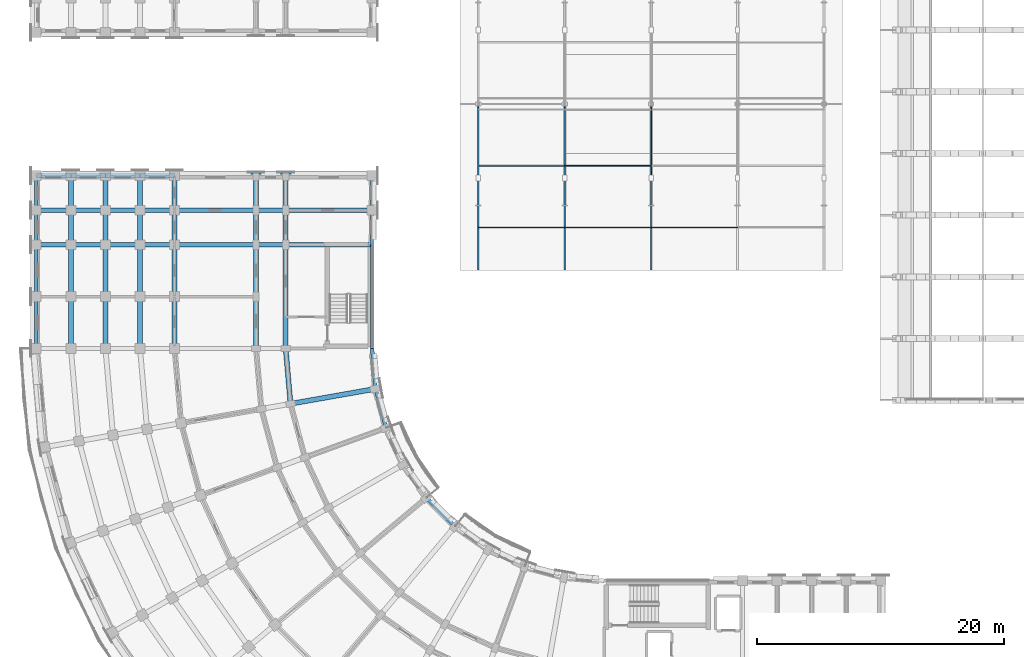
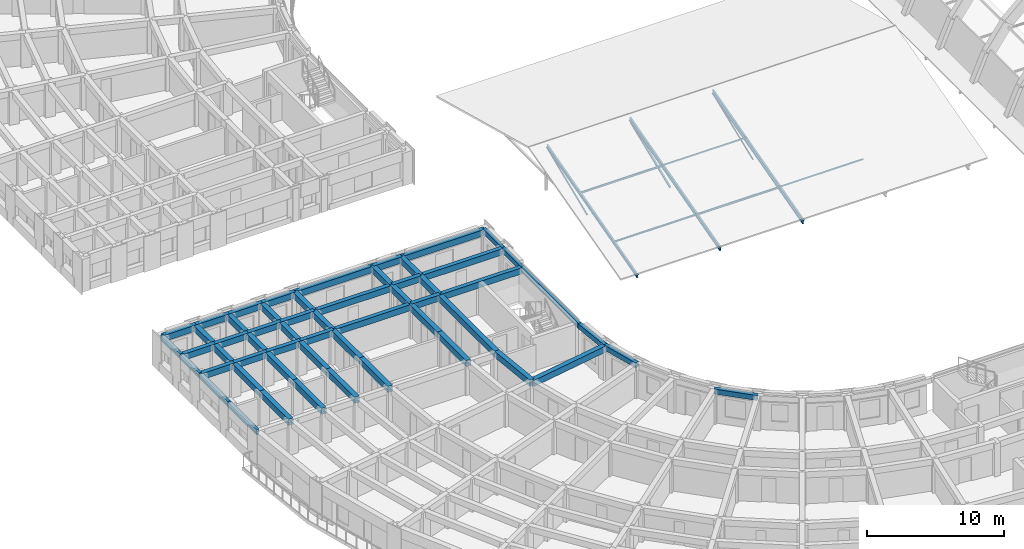
# One storey, part 12 of 76: 59 beams, 8 members.
"""IFC4 building model written with IfcOpenShell, lengths in metres."""

from ifc_helpers import new_model, si_unit, direction, frame, origin, origin_2d, place, context, subcontext, project, spatial, rectangle, hollow_rectangle, hollow_circle, i_section, extrude, material, material_profile, profile_set, type_object, element, save


model = new_model("IFC4")

# Units and contexts
model_context = context("Model", 3, precision=1e-05, world=origin(), true_north=direction((0.0, 1.0)))
body_context = subcontext(model_context, "Body", "Model", "MODEL_VIEW")
ifc_project = project(units=[si_unit("LENGTHUNIT", "METRE"), si_unit("AREAUNIT", "SQUARE_METRE"), si_unit("VOLUMEUNIT", "CUBIC_METRE"), si_unit("PLANEANGLEUNIT", "RADIAN"), si_unit("MASSUNIT", "GRAM", prefix="KILO")], contexts=[model_context])

# Site, building, storey
site_placement = place(None, origin())
site = spatial("IfcSite", under=ifc_project, at=site_placement, CompositionType="ELEMENT")
building_placement = place(site_placement, origin())
building = spatial("IfcBuilding", under=site, at=building_placement, Name="Kiranvali Square Residences", CompositionType="ELEMENT")
storey_placement = place(building_placement, frame((0.0, 0.0, 8.699951171875)))
storey = spatial("IfcBuildingStorey", under=building, at=storey_placement, Name="L02", CompositionType="ELEMENT", Elevation=8.699951171875)

# Beams
ifc_material_1 = material(Name="Concrete M40 (40 MPa)", Category="concrete")
ifc_material_profile_1 = material_profile(ifc_material_1, rectangle(XDim=0.35009765625, YDim=0.550048828125, at=origin_2d()), Name="RC 350x550")
ifc_profile_set_1 = profile_set([ifc_material_profile_1], Name="Concrete M40 (40 MPa)")
beam_type_1 = type_object("IfcBeamType", Name="BM-M40-350x550", PredefinedType="BEAM", material=ifc_profile_set_1)
beam_1_placement = place(storey_placement, frame((29.39990234375, 56.60009765625, 2.655029296875), z_axis=(-1.0, 0.0, 0.0), x_axis=(0.0, -1.0, 0.0)))
element("IfcBeam", 1, at=beam_1_placement, inside=storey, type_object=beam_type_1, Name="L02 beam BM-C-L02-A2T1-01", PredefinedType="BEAM", context=body_context, shape_type="SweptSolid", body=[
    extrude(rectangle(XDim=0.35009765625, YDim=0.550048828125, at=origin_2d()), origin(), (0.0, 0.0, 1.0), 7.0),
])
beam_2_placement = place(storey_placement, frame((22.39990234375, 56.60009765625, 2.655029296875), z_axis=(-1.0, 0.0, 0.0), x_axis=(0.0, -1.0, 0.0)))
element("IfcBeam", 2, at=beam_2_placement, inside=storey, type_object=beam_type_1, Name="L02 beam BM-C-L02-A2T1-12", PredefinedType="BEAM", context=body_context, shape_type="SweptSolid", body=[
    extrude(rectangle(XDim=0.35009765625, YDim=0.550048828125, at=origin_2d()), origin(), (0.0, 0.0, 1.0), 2.39990234375),
])
beam_3_placement = place(storey_placement, frame((20.0, 56.60009765625, 2.655029296875), z_axis=(-1.0, 0.0, 0.0), x_axis=(0.0, -1.0, 0.0)))
element("IfcBeam", 3, at=beam_3_placement, inside=storey, type_object=beam_type_1, Name="L02 beam BM-C-L02-A2T1-23", PredefinedType="BEAM", context=body_context, shape_type="SweptSolid", body=[
    extrude(rectangle(XDim=0.35009765625, YDim=0.550048828125, at=origin_2d()), origin(), (0.0, 0.0, 1.0), 6.60009765625),
])
beam_4_placement = place(storey_placement, frame((13.39990234375, 56.60009765625, 2.655029296875), z_axis=(-1.0, 0.0, 0.0), x_axis=(0.0, -1.0, 0.0)))
element("IfcBeam", 4, at=beam_4_placement, inside=storey, type_object=beam_type_1, Name="L02 beam BM-C-L02-A2T1-34", PredefinedType="BEAM", context=body_context, shape_type="SweptSolid", body=[
    extrude(rectangle(XDim=0.35009765625, YDim=0.550048828125, at=origin_2d()), origin(), (0.0, 0.0, 1.0), 2.7998046875),
])
for number, where, z_axis, x_axis, name in (
    (5, (10.60009765625, 56.60009765625, 2.655029296875), (-1.0, 0.0, 0.0), (0.0, -1.0, 0.0), "L02 beam BM-C-L02-A2T1-45"),
    (6, (7.800048828125, 56.60009765625, 2.655029296875), (-1.0, 0.0, 0.0), (0.0, -1.0, 0.0), "L02 beam BM-C-L02-A2T1-56"),
    (7, (5.0, 56.60009765625, 2.655029296875), (-1.0, 0.0, 0.0), (0.0, -1.0, 0.0), "L02 beam BM-C-L02-A2T1-67"),
):
    element("IfcBeam", number, at=place(storey_placement, frame(where, z_axis=z_axis, x_axis=x_axis)), inside=storey, type_object=beam_type_1, Name=name, PredefinedType="BEAM", context=body_context, shape_type="SweptSolid", body=[
        extrude(rectangle(XDim=0.35009765625, YDim=0.550048828125, at=origin_2d()), origin(), (0.0, 0.0, 1.0), 2.800048828125),
    ])
beam_5_placement = place(storey_placement, frame((29.39990234375, 59.39990234375, 2.655029296875), z_axis=(-1.0, 0.0, 0.0), x_axis=(0.0, -1.0, 0.0)))
element("IfcBeam", 8, at=beam_5_placement, inside=storey, type_object=beam_type_1, Name="L02 beam BM-C-L02-A2T2-01", PredefinedType="BEAM", context=body_context, shape_type="SweptSolid", body=[
    extrude(rectangle(XDim=0.35009765625, YDim=0.550048828125, at=origin_2d()), origin(), (0.0, 0.0, 1.0), 7.0),
])
beam_6_placement = place(storey_placement, frame((22.39990234375, 59.39990234375, 2.655029296875), z_axis=(-1.0, 0.0, 0.0), x_axis=(0.0, -1.0, 0.0)))
element("IfcBeam", 9, at=beam_6_placement, inside=storey, type_object=beam_type_1, Name="L02 beam BM-C-L02-A2T2-12", PredefinedType="BEAM", context=body_context, shape_type="SweptSolid", body=[
    extrude(rectangle(XDim=0.35009765625, YDim=0.550048828125, at=origin_2d()), origin(), (0.0, 0.0, 1.0), 2.39990234375),
])
beam_7_placement = place(storey_placement, frame((20.0, 59.39990234375, 2.655029296875), z_axis=(-1.0, 0.0, 0.0), x_axis=(0.0, -1.0, 0.0)))
element("IfcBeam", 10, at=beam_7_placement, inside=storey, type_object=beam_type_1, Name="L02 beam BM-C-L02-A2T2-23", PredefinedType="BEAM", context=body_context, shape_type="SweptSolid", body=[
    extrude(rectangle(XDim=0.35009765625, YDim=0.550048828125, at=origin_2d()), origin(), (0.0, 0.0, 1.0), 6.60009765625),
])
beam_8_placement = place(storey_placement, frame((13.39990234375, 59.39990234375, 2.655029296875), z_axis=(-1.0, 0.0, 0.0), x_axis=(0.0, -1.0, 0.0)))
element("IfcBeam", 11, at=beam_8_placement, inside=storey, type_object=beam_type_1, Name="L02 beam BM-C-L02-A2T2-34", PredefinedType="BEAM", context=body_context, shape_type="SweptSolid", body=[
    extrude(rectangle(XDim=0.35009765625, YDim=0.550048828125, at=origin_2d()), origin(), (0.0, 0.0, 1.0), 2.7998046875),
])
for number, where, z_axis, x_axis, name in (
    (12, (10.60009765625, 59.39990234375, 2.655029296875), (-1.0, 0.0, 0.0), (0.0, -1.0, 0.0), "L02 beam BM-C-L02-A2T2-45"),
    (13, (7.800048828125, 59.39990234375, 2.655029296875), (-1.0, 0.0, 0.0), (0.0, -1.0, 0.0), "L02 beam BM-C-L02-A2T2-56"),
    (14, (5.0, 59.39990234375, 2.655029296875), (-1.0, 0.0, 0.0), (0.0, -1.0, 0.0), "L02 beam BM-C-L02-A2T2-67"),
):
    element("IfcBeam", number, at=place(storey_placement, frame(where, z_axis=z_axis, x_axis=x_axis)), inside=storey, type_object=beam_type_1, Name=name, PredefinedType="BEAM", context=body_context, shape_type="SweptSolid", body=[
        extrude(rectangle(XDim=0.35009765625, YDim=0.550048828125, at=origin_2d()), origin(), (0.0, 0.0, 1.0), 2.800048828125),
    ])
beam_9_placement = place(storey_placement, frame((29.39990234375, 62.199951171875, 2.655029296875), z_axis=(-1.0, 0.0, 0.0), x_axis=(0.0, -1.0, 0.0)))
element("IfcBeam", 15, at=beam_9_placement, inside=storey, type_object=beam_type_1, Name="L02 beam BM-C-L02-A2T3-01", PredefinedType="BEAM", context=body_context, shape_type="SweptSolid", body=[
    extrude(rectangle(XDim=0.35009765625, YDim=0.550048828125, at=origin_2d()), origin(), (0.0, 0.0, 1.0), 7.0),
])
beam_10_placement = place(storey_placement, frame((22.39990234375, 62.199951171875, 2.655029296875), z_axis=(-1.0, 0.0, 0.0), x_axis=(0.0, -1.0, 0.0)))
element("IfcBeam", 16, at=beam_10_placement, inside=storey, type_object=beam_type_1, Name="L02 beam BM-C-L02-A2T3-12", PredefinedType="BEAM", context=body_context, shape_type="SweptSolid", body=[
    extrude(rectangle(XDim=0.35009765625, YDim=0.550048828125, at=origin_2d()), origin(), (0.0, 0.0, 1.0), 2.39990234375),
])
beam_11_placement = place(storey_placement, frame((20.0, 62.199951171875, 2.655029296875), z_axis=(-1.0, 0.0, 0.0), x_axis=(0.0, -1.0, 0.0)))
element("IfcBeam", 17, at=beam_11_placement, inside=storey, type_object=beam_type_1, Name="L02 beam BM-C-L02-A2T3-23", PredefinedType="BEAM", context=body_context, shape_type="SweptSolid", body=[
    extrude(rectangle(XDim=0.35009765625, YDim=0.550048828125, at=origin_2d()), origin(), (0.0, 0.0, 1.0), 6.60009765625),
])
beam_12_placement = place(storey_placement, frame((13.39990234375, 62.199951171875, 2.655029296875), z_axis=(-1.0, 0.0, 0.0), x_axis=(0.0, -1.0, 0.0)))
element("IfcBeam", 18, at=beam_12_placement, inside=storey, type_object=beam_type_1, Name="L02 beam BM-C-L02-A2T3-34", PredefinedType="BEAM", context=body_context, shape_type="SweptSolid", body=[
    extrude(rectangle(XDim=0.35009765625, YDim=0.550048828125, at=origin_2d()), origin(), (0.0, 0.0, 1.0), 2.7998046875),
])
for number, where, z_axis, x_axis, name in (
    (19, (10.60009765625, 62.199951171875, 2.655029296875), (-1.0, 0.0, 0.0), (0.0, -1.0, 0.0), "L02 beam BM-C-L02-A2T3-45"),
    (20, (7.800048828125, 62.199951171875, 2.655029296875), (-1.0, 0.0, 0.0), (0.0, -1.0, 0.0), "L02 beam BM-C-L02-A2T3-56"),
    (21, (5.0, 62.199951171875, 2.655029296875), (-1.0, 0.0, 0.0), (0.0, -1.0, 0.0), "L02 beam BM-C-L02-A2T3-67"),
):
    element("IfcBeam", number, at=place(storey_placement, frame(where, z_axis=z_axis, x_axis=x_axis)), inside=storey, type_object=beam_type_1, Name=name, PredefinedType="BEAM", context=body_context, shape_type="SweptSolid", body=[
        extrude(rectangle(XDim=0.35009765625, YDim=0.550048828125, at=origin_2d()), origin(), (0.0, 0.0, 1.0), 2.800048828125),
    ])
ifc_material_2 = material(Name="Concrete M45 (45 MPa)", Category="concrete")
ifc_material_profile_2 = material_profile(ifc_material_2, rectangle(XDim=0.39990234375, YDim=0.550048828125, at=origin_2d()), Name="RC 400x550")
ifc_profile_set_2 = profile_set([ifc_material_profile_2], Name="Concrete M45 (45 MPa)")
beam_type_2 = type_object("IfcBeamType", Name="BM-M45-400x550", PredefinedType="BEAM", material=ifc_profile_set_2)
beam_13_placement = place(storey_placement, frame((22.7919921875, 43.719970703125, 2.655029296875), z_axis=(-0.087187153726, 0.996191949488, 0.0), x_axis=(-0.996191949488, -0.087187153726, 0.0)))
element("IfcBeam", 22, at=beam_13_placement, inside=storey, type_object=beam_type_2, Name="L02 beam BM-C-L02-C08-R1", PredefinedType="BEAM", context=body_context, shape_type="SweptSolid", body=[
    extrude(rectangle(XDim=0.39990234375, YDim=0.550048828125, at=origin_2d()), origin(), (0.0, 0.0, 1.0), 4.4970703125),
])
beam_14_placement = place(storey_placement, frame((29.685546875, 44.935302734375, 2.655029296875), z_axis=(-0.984812337125, -0.173622177865, 0.0), x_axis=(0.173622177865, -0.984812337125, 0.0)))
element("IfcBeam", 23, at=beam_14_placement, inside=storey, type_object=beam_type_2, Name="L02 beam BM-C-L02-RAD08-01", PredefinedType="BEAM", context=body_context, shape_type="SweptSolid", body=[
    extrude(rectangle(XDim=0.39990234375, YDim=0.550048828125, at=origin_2d()), origin(), (0.0, 0.0, 1.0), 6.999755859375),
])
beam_15_placement = place(storey_placement, frame((22.39990234375, 48.199951171875, 2.655029296875), z_axis=(0.0, 1.0, 0.0), x_axis=(-1.0, 0.0, 0.0)))
element("IfcBeam", 24, at=beam_15_placement, inside=storey, type_object=beam_type_2, Name="L02 beam BM-C-L02-A2V0-R1", PredefinedType="BEAM", context=body_context, shape_type="SweptSolid", body=[
    extrude(rectangle(XDim=0.39990234375, YDim=0.550048828125, at=origin_2d()), origin(), (0.0, 0.0, 1.0), 8.400146484375),
])
beam_16_placement = place(storey_placement, frame((22.39990234375, 56.60009765625, 2.655029296875), z_axis=(0.0, 1.0, 0.0), x_axis=(-1.0, 0.0, 0.0)))
element("IfcBeam", 25, at=beam_16_placement, inside=storey, type_object=beam_type_2, Name="L02 beam BM-C-L02-A2V1-R1", PredefinedType="BEAM", context=body_context, shape_type="SweptSolid", body=[
    extrude(rectangle(XDim=0.39990234375, YDim=0.550048828125, at=origin_2d()), origin(), (0.0, 0.0, 1.0), 2.7998046875),
])
beam_17_placement = place(storey_placement, frame((22.39990234375, 59.39990234375, 2.655029296875), z_axis=(0.0, 1.0, 0.0), x_axis=(-1.0, 0.0, 0.0)))
element("IfcBeam", 26, at=beam_17_placement, inside=storey, type_object=beam_type_2, Name="L02 beam BM-C-L02-A2V2-R1", PredefinedType="BEAM", context=body_context, shape_type="SweptSolid", body=[
    extrude(rectangle(XDim=0.39990234375, YDim=0.550048828125, at=origin_2d()), origin(), (0.0, 0.0, 1.0), 2.800048828125),
])
beam_18_placement = place(storey_placement, frame((20.0, 48.199951171875, 2.655029296875), z_axis=(0.0, 1.0, 0.0), x_axis=(-1.0, 0.0, 0.0)))
element("IfcBeam", 27, at=beam_18_placement, inside=storey, type_object=beam_type_2, Name="L02 beam BM-C-L02-A2V0-R2", PredefinedType="BEAM", context=body_context, shape_type="SweptSolid", body=[
    extrude(rectangle(XDim=0.39990234375, YDim=0.550048828125, at=origin_2d()), origin(), (0.0, 0.0, 1.0), 4.199951171875),
])
beam_19_placement = place(storey_placement, frame((20.0, 52.39990234375, 2.655029296875), z_axis=(0.0, 1.0, 0.0), x_axis=(-1.0, 0.0, 0.0)))
element("IfcBeam", 28, at=beam_19_placement, inside=storey, type_object=beam_type_2, Name="L02 beam BM-C-L02-A2V1-R2", PredefinedType="BEAM", context=body_context, shape_type="SweptSolid", body=[
    extrude(rectangle(XDim=0.39990234375, YDim=0.550048828125, at=origin_2d()), origin(), (0.0, 0.0, 1.0), 4.2001953125),
])
beam_20_placement = place(storey_placement, frame((20.0, 56.60009765625, 2.655029296875), z_axis=(0.0, 1.0, 0.0), x_axis=(-1.0, 0.0, 0.0)))
element("IfcBeam", 29, at=beam_20_placement, inside=storey, type_object=beam_type_2, Name="L02 beam BM-C-L02-A2V2-R2", PredefinedType="BEAM", context=body_context, shape_type="SweptSolid", body=[
    extrude(rectangle(XDim=0.39990234375, YDim=0.550048828125, at=origin_2d()), origin(), (0.0, 0.0, 1.0), 2.7998046875),
])
beam_21_placement = place(storey_placement, frame((20.0, 59.39990234375, 2.655029296875), z_axis=(0.0, 1.0, 0.0), x_axis=(-1.0, 0.0, 0.0)))
element("IfcBeam", 30, at=beam_21_placement, inside=storey, type_object=beam_type_2, Name="L02 beam BM-C-L02-A2V3-R2", PredefinedType="BEAM", context=body_context, shape_type="SweptSolid", body=[
    extrude(rectangle(XDim=0.39990234375, YDim=0.550048828125, at=origin_2d()), origin(), (0.0, 0.0, 1.0), 2.800048828125),
])
beam_22_placement = place(storey_placement, frame((13.39990234375, 48.199951171875, 2.655029296875), z_axis=(0.0, 1.0, 0.0), x_axis=(-1.0, 0.0, 0.0)))
element("IfcBeam", 31, at=beam_22_placement, inside=storey, type_object=beam_type_2, Name="L02 beam BM-C-L02-A2V0-R3", PredefinedType="BEAM", context=body_context, shape_type="SweptSolid", body=[
    extrude(rectangle(XDim=0.39990234375, YDim=0.550048828125, at=origin_2d()), origin(), (0.0, 0.0, 1.0), 4.199951171875),
])
beam_23_placement = place(storey_placement, frame((13.39990234375, 52.39990234375, 2.655029296875), z_axis=(0.0, 1.0, 0.0), x_axis=(-1.0, 0.0, 0.0)))
element("IfcBeam", 32, at=beam_23_placement, inside=storey, type_object=beam_type_2, Name="L02 beam BM-C-L02-A2V1-R3", PredefinedType="BEAM", context=body_context, shape_type="SweptSolid", body=[
    extrude(rectangle(XDim=0.39990234375, YDim=0.550048828125, at=origin_2d()), origin(), (0.0, 0.0, 1.0), 4.2001953125),
])
beam_24_placement = place(storey_placement, frame((13.39990234375, 56.60009765625, 2.655029296875), z_axis=(0.0, 1.0, 0.0), x_axis=(-1.0, 0.0, 0.0)))
element("IfcBeam", 33, at=beam_24_placement, inside=storey, type_object=beam_type_2, Name="L02 beam BM-C-L02-A2V2-R3", PredefinedType="BEAM", context=body_context, shape_type="SweptSolid", body=[
    extrude(rectangle(XDim=0.39990234375, YDim=0.550048828125, at=origin_2d()), origin(), (0.0, 0.0, 1.0), 2.7998046875),
])
beam_25_placement = place(storey_placement, frame((13.39990234375, 59.39990234375, 2.655029296875), z_axis=(0.0, 1.0, 0.0), x_axis=(-1.0, 0.0, 0.0)))
element("IfcBeam", 34, at=beam_25_placement, inside=storey, type_object=beam_type_2, Name="L02 beam BM-C-L02-A2V3-R3", PredefinedType="BEAM", context=body_context, shape_type="SweptSolid", body=[
    extrude(rectangle(XDim=0.39990234375, YDim=0.550048828125, at=origin_2d()), origin(), (0.0, 0.0, 1.0), 2.800048828125),
])
beam_26_placement = place(storey_placement, frame((10.60009765625, 48.199951171875, 2.655029296875), z_axis=(0.0, 1.0, 0.0), x_axis=(-1.0, 0.0, 0.0)))
element("IfcBeam", 35, at=beam_26_placement, inside=storey, type_object=beam_type_2, Name="L02 beam BM-C-L02-A2V0-R4", PredefinedType="BEAM", context=body_context, shape_type="SweptSolid", body=[
    extrude(rectangle(XDim=0.39990234375, YDim=0.550048828125, at=origin_2d()), origin(), (0.0, 0.0, 1.0), 4.199951171875),
])
beam_27_placement = place(storey_placement, frame((10.60009765625, 52.39990234375, 2.655029296875), z_axis=(0.0, 1.0, 0.0), x_axis=(-1.0, 0.0, 0.0)))
element("IfcBeam", 36, at=beam_27_placement, inside=storey, type_object=beam_type_2, Name="L02 beam BM-C-L02-A2V1-R4", PredefinedType="BEAM", context=body_context, shape_type="SweptSolid", body=[
    extrude(rectangle(XDim=0.39990234375, YDim=0.550048828125, at=origin_2d()), origin(), (0.0, 0.0, 1.0), 4.2001953125),
])
beam_28_placement = place(storey_placement, frame((10.60009765625, 56.60009765625, 2.655029296875), z_axis=(0.0, 1.0, 0.0), x_axis=(-1.0, 0.0, 0.0)))
element("IfcBeam", 37, at=beam_28_placement, inside=storey, type_object=beam_type_2, Name="L02 beam BM-C-L02-A2V2-R4", PredefinedType="BEAM", context=body_context, shape_type="SweptSolid", body=[
    extrude(rectangle(XDim=0.39990234375, YDim=0.550048828125, at=origin_2d()), origin(), (0.0, 0.0, 1.0), 2.7998046875),
])
beam_29_placement = place(storey_placement, frame((10.60009765625, 59.39990234375, 2.655029296875), z_axis=(0.0, 1.0, 0.0), x_axis=(-1.0, 0.0, 0.0)))
element("IfcBeam", 38, at=beam_29_placement, inside=storey, type_object=beam_type_2, Name="L02 beam BM-C-L02-A2V3-R4", PredefinedType="BEAM", context=body_context, shape_type="SweptSolid", body=[
    extrude(rectangle(XDim=0.39990234375, YDim=0.550048828125, at=origin_2d()), origin(), (0.0, 0.0, 1.0), 2.800048828125),
])
beam_30_placement = place(storey_placement, frame((7.800048828125, 48.199951171875, 2.655029296875), z_axis=(0.0, 1.0, 0.0), x_axis=(-1.0, 0.0, 0.0)))
element("IfcBeam", 39, at=beam_30_placement, inside=storey, type_object=beam_type_2, Name="L02 beam BM-C-L02-A2V0-R5", PredefinedType="BEAM", context=body_context, shape_type="SweptSolid", body=[
    extrude(rectangle(XDim=0.39990234375, YDim=0.550048828125, at=origin_2d()), origin(), (0.0, 0.0, 1.0), 4.199951171875),
])
beam_31_placement = place(storey_placement, frame((7.800048828125, 52.39990234375, 2.655029296875), z_axis=(0.0, 1.0, 0.0), x_axis=(-1.0, 0.0, 0.0)))
element("IfcBeam", 40, at=beam_31_placement, inside=storey, type_object=beam_type_2, Name="L02 beam BM-C-L02-A2V1-R5", PredefinedType="BEAM", context=body_context, shape_type="SweptSolid", body=[
    extrude(rectangle(XDim=0.39990234375, YDim=0.550048828125, at=origin_2d()), origin(), (0.0, 0.0, 1.0), 4.2001953125),
])
beam_32_placement = place(storey_placement, frame((7.800048828125, 56.60009765625, 2.655029296875), z_axis=(0.0, 1.0, 0.0), x_axis=(-1.0, 0.0, 0.0)))
element("IfcBeam", 41, at=beam_32_placement, inside=storey, type_object=beam_type_2, Name="L02 beam BM-C-L02-A2V2-R5", PredefinedType="BEAM", context=body_context, shape_type="SweptSolid", body=[
    extrude(rectangle(XDim=0.39990234375, YDim=0.550048828125, at=origin_2d()), origin(), (0.0, 0.0, 1.0), 2.7998046875),
])
beam_33_placement = place(storey_placement, frame((7.800048828125, 59.39990234375, 2.655029296875), z_axis=(0.0, 1.0, 0.0), x_axis=(-1.0, 0.0, 0.0)))
element("IfcBeam", 42, at=beam_33_placement, inside=storey, type_object=beam_type_2, Name="L02 beam BM-C-L02-A2V3-R5", PredefinedType="BEAM", context=body_context, shape_type="SweptSolid", body=[
    extrude(rectangle(XDim=0.39990234375, YDim=0.550048828125, at=origin_2d()), origin(), (0.0, 0.0, 1.0), 2.800048828125),
])
beam_34_placement = place(storey_placement, frame((5.0, 48.199951171875, 2.655029296875), z_axis=(0.0, 1.0, 0.0), x_axis=(-1.0, 0.0, 0.0)))
element("IfcBeam", 43, at=beam_34_placement, inside=storey, type_object=beam_type_2, Name="L02 beam BM-C-L02-A2V0-R6", PredefinedType="BEAM", context=body_context, shape_type="SweptSolid", body=[
    extrude(rectangle(XDim=0.39990234375, YDim=0.550048828125, at=origin_2d()), origin(), (0.0, 0.0, 1.0), 4.199951171875),
])
beam_35_placement = place(storey_placement, frame((5.0, 52.39990234375, 2.655029296875), z_axis=(0.0, 1.0, 0.0), x_axis=(-1.0, 0.0, 0.0)))
element("IfcBeam", 44, at=beam_35_placement, inside=storey, type_object=beam_type_2, Name="L02 beam BM-C-L02-A2V1-R6", PredefinedType="BEAM", context=body_context, shape_type="SweptSolid", body=[
    extrude(rectangle(XDim=0.39990234375, YDim=0.550048828125, at=origin_2d()), origin(), (0.0, 0.0, 1.0), 4.2001953125),
])
beam_36_placement = place(storey_placement, frame((5.0, 56.60009765625, 2.655029296875), z_axis=(0.0, 1.0, 0.0), x_axis=(-1.0, 0.0, 0.0)))
element("IfcBeam", 45, at=beam_36_placement, inside=storey, type_object=beam_type_2, Name="L02 beam BM-C-L02-A2V2-R6", PredefinedType="BEAM", context=body_context, shape_type="SweptSolid", body=[
    extrude(rectangle(XDim=0.39990234375, YDim=0.550048828125, at=origin_2d()), origin(), (0.0, 0.0, 1.0), 2.7998046875),
])
beam_37_placement = place(storey_placement, frame((5.0, 59.39990234375, 2.655029296875), z_axis=(0.0, 1.0, 0.0), x_axis=(-1.0, 0.0, 0.0)))
element("IfcBeam", 46, at=beam_37_placement, inside=storey, type_object=beam_type_2, Name="L02 beam BM-C-L02-A2V3-R6", PredefinedType="BEAM", context=body_context, shape_type="SweptSolid", body=[
    extrude(rectangle(XDim=0.39990234375, YDim=0.550048828125, at=origin_2d()), origin(), (0.0, 0.0, 1.0), 2.800048828125),
])

# Members
ifc_material_3 = material(Name="Structural steel E350", Category="steel")
ifc_material_profile_3 = material_profile(ifc_material_3, hollow_circle(Radius=0.05712890625, WallThickness=0.00537109375, at=origin_2d()), Name="CHS 114.3x5.4")
ifc_profile_set_3 = profile_set([ifc_material_profile_3], Name="Structural steel E350")
member_type_1 = type_object("IfcMemberType", Name="MEM-CHS114", PredefinedType="BRACE", material=ifc_profile_set_3)
member_1_placement = place(storey_placement, frame((52.0, 62.0, 1.244140625), z_axis=(0.0, 0.92918908644, 0.369604709982), x_axis=(-1.0, 0.0, 0.0)))
element("IfcMember", 47, at=member_1_placement, inside=storey, type_object=member_type_1, Name="Nursery Pavilion roof truss diagonal brace 3A", PredefinedType="BRACE", context=body_context, shape_type="SweptSolid", body=[
    extrude(hollow_circle(Radius=0.05712890625, WallThickness=0.00537109375, at=origin_2d()), origin(), (0.0, 0.0, 1.0), 6.177490234375),
])
ifc_material_profile_4 = material_profile(ifc_material_3, i_section(OverallWidth=0.074951171875, OverallDepth=0.14990234375, WebThickness=0.0048828125, FlangeThickness=0.008056640625, at=origin_2d()), Name="ISMB 150")
ifc_profile_set_4 = profile_set([ifc_material_profile_4], Name="Structural steel E350")
member_type_2 = type_object("IfcMemberType", Name="MEM-ISMB150-P", PredefinedType="PURLIN", material=ifc_profile_set_4)
member_2_placement = place(storey_placement, frame((38.0, 58.0, 1.2529296875), z_axis=(1.0, 0.0, 0.0), x_axis=(0.0, 1.0, 0.0)))
element("IfcMember", 48, at=member_2_placement, inside=storey, type_object=member_type_2, Name="Nursery Pavilion roof purlin 1.1", PredefinedType="PURLIN", context=body_context, shape_type="SweptSolid", body=[
    extrude(i_section(OverallWidth=0.074951171875, OverallDepth=0.14990234375, WebThickness=0.0048828125, FlangeThickness=0.008056640625, at=origin_2d()), origin(), (0.0, 0.0, 1.0), 7.0),
])
ifc_material_profile_5 = material_profile(ifc_material_3, i_section(OverallWidth=0.0849609375, OverallDepth=0.175048828125, WebThickness=0.005859375, FlangeThickness=0.009033203125, at=origin_2d()), Name="ISMB 175")
ifc_profile_set_5 = profile_set([ifc_material_profile_5], Name="Structural steel E350")
member_type_3 = type_object("IfcMemberType", Name="MEM-ISMB175-P", PredefinedType="PURLIN", material=ifc_profile_set_5)
for number, where, z_axis, x_axis, name in (
    (49, (45.0, 58.0, 1.240478515625), (1.0, 0.0, 0.0), (0.0, 1.0, 0.0), "Nursery Pavilion roof purlin 1.2"),
    (50, (38.0, 63.0, 2.580078125), (1.0, 0.0, 0.0), (0.0, 1.0, 0.0), "Nursery Pavilion roof purlin 2.1"),
):
    element("IfcMember", number, at=place(storey_placement, frame(where, z_axis=z_axis, x_axis=x_axis)), inside=storey, type_object=member_type_3, Name=name, PredefinedType="PURLIN", context=body_context, shape_type="SweptSolid", body=[
        extrude(i_section(OverallWidth=0.0849609375, OverallDepth=0.175048828125, WebThickness=0.005859375, FlangeThickness=0.009033203125, at=origin_2d()), origin(), (0.0, 0.0, 1.0), 7.0),
    ])
ifc_material_profile_6 = material_profile(ifc_material_3, hollow_rectangle(XDim=0.06103515625, YDim=0.1220703125, WallThickness=0.00439453125, at=origin_2d()), Name="RHS 122x61x4.5")
ifc_profile_set_6 = profile_set([ifc_material_profile_6], Name="Structural steel E350")
member_type_4 = type_object("IfcMemberType", Name="MEM-RHS122", PredefinedType="PURLIN", material=ifc_profile_set_6)
for number, where, z_axis, x_axis, name in (
    (51, (52.0, 58.0, 1.266845703125), (1.0, 0.0, 0.0), (0.0, 1.0, 0.0), "Nursery Pavilion roof purlin 1.3"),
    (52, (45.0, 63.0, 2.606689453125), (1.0, 0.0, 0.0), (0.0, 1.0, 0.0), "Nursery Pavilion roof purlin 2.2"),
):
    element("IfcMember", number, at=place(storey_placement, frame(where, z_axis=z_axis, x_axis=x_axis)), inside=storey, type_object=member_type_4, Name=name, PredefinedType="PURLIN", context=body_context, shape_type="SweptSolid", body=[
        extrude(hollow_rectangle(XDim=0.06103515625, YDim=0.1220703125, WallThickness=0.00439453125, at=origin_2d()), origin(), (0.0, 0.0, 1.0), 7.0),
    ])
ifc_material_profile_7 = material_profile(ifc_material_3, hollow_rectangle(XDim=0.132080078125, YDim=0.132080078125, WallThickness=0.00537109375, at=origin_2d()), Name="SHS 132x132x5.4")
ifc_profile_set_7 = profile_set([ifc_material_profile_7], Name="Structural steel E350")
member_type_5 = type_object("IfcMemberType", Name="MEM-SHS132", PredefinedType="BRACE", material=ifc_profile_set_7)
member_3_placement = place(storey_placement, frame((45.0, 62.0, 1.22412109375), z_axis=(0.0, 0.926677314824, 0.375857890952), x_axis=(-1.0, 0.0, 0.0)))
element("IfcMember", 53, at=member_3_placement, inside=storey, type_object=member_type_5, Name="Nursery Pavilion roof truss diagonal brace 2A", PredefinedType="BRACE", context=body_context, shape_type="SweptSolid", body=[
    extrude(hollow_rectangle(XDim=0.132080078125, YDim=0.132080078125, WallThickness=0.00537109375, at=origin_2d()), origin(), (0.0, 0.0, 1.0), 6.194091796875),
])
ifc_material_profile_8 = material_profile(ifc_material_3, hollow_rectangle(XDim=0.091552734375, YDim=0.091552734375, WallThickness=0.00439453125, at=origin_2d()), Name="SHS 91.5x91.5x4.5")
ifc_profile_set_8 = profile_set([ifc_material_profile_8], Name="Structural steel E350")
member_type_6 = type_object("IfcMemberType", Name="MEM-SHS91", PredefinedType="BRACE", material=ifc_profile_set_8)
member_4_placement = place(storey_placement, frame((38.0, 62.0, 1.208984375), z_axis=(0.0, 0.924401000821, 0.381422062395), x_axis=(-1.0, 0.0, 0.0)))
element("IfcMember", 54, at=member_4_placement, inside=storey, type_object=member_type_6, Name="Nursery Pavilion roof truss diagonal brace 1A", PredefinedType="BRACE", context=body_context, shape_type="SweptSolid", body=[
    extrude(hollow_rectangle(XDim=0.091552734375, YDim=0.091552734375, WallThickness=0.00439453125, at=origin_2d()), origin(), (0.0, 0.0, 1.0), 6.20947265625),
])

# Beams
ifc_material_profile_9 = material_profile(ifc_material_3, i_section(OverallWidth=0.139892578125, OverallDepth=0.300048828125, WebThickness=0.0078125, FlangeThickness=0.01318359375, at=origin_2d()), Name="ISMB 300")
ifc_profile_set_9 = profile_set([ifc_material_profile_9], Name="Structural steel E350")
beam_type_3 = type_object("IfcBeamType", Name="SBM-ISMB300", PredefinedType="BEAM", material=ifc_profile_set_9)
beam_38_placement = place(storey_placement, frame((38.0, 54.60009765625, 0.199951171875), z_axis=(0.0, 0.964943860611, 0.262456369459), x_axis=(-1.0, 0.0, 0.0)))
element("IfcBeam", 55, at=beam_38_placement, inside=storey, type_object=beam_type_3, Name="Nursery Pavilion steel roof rafter S-1", PredefinedType="BEAM", context=body_context, shape_type="SweptSolid", body=[
    extrude(i_section(OverallWidth=0.139892578125, OverallDepth=0.300048828125, WebThickness=0.0078125, FlangeThickness=0.01318359375, at=origin_2d()), origin(), (0.0, 0.0, 1.0), 13.782958984375),
])
ifc_material_profile_10 = material_profile(ifc_material_3, i_section(OverallWidth=0.139892578125, OverallDepth=0.35009765625, WebThickness=0.008056640625, FlangeThickness=0.01416015625, at=origin_2d()), Name="ISMB 350")
ifc_profile_set_10 = profile_set([ifc_material_profile_10], Name="Structural steel E350")
beam_type_4 = type_object("IfcBeamType", Name="SBM-ISMB350", PredefinedType="BEAM", material=ifc_profile_set_10)
beam_39_placement = place(storey_placement, frame((45.0, 54.60009765625, 0.175048828125), z_axis=(0.0, 0.964948346457, 0.262439876296), x_axis=(-1.0, 0.0, 0.0)))
element("IfcBeam", 56, at=beam_39_placement, inside=storey, type_object=beam_type_4, Name="Nursery Pavilion steel roof rafter S-2", PredefinedType="BEAM", context=body_context, shape_type="SweptSolid", body=[
    extrude(i_section(OverallWidth=0.139892578125, OverallDepth=0.35009765625, WebThickness=0.008056640625, FlangeThickness=0.01416015625, at=origin_2d()), origin(), (0.0, 0.0, 1.0), 13.782958984375),
])
ifc_material_profile_11 = material_profile(ifc_material_3, i_section(OverallWidth=0.139892578125, OverallDepth=0.39990234375, WebThickness=0.0087890625, FlangeThickness=0.01611328125, at=origin_2d()), Name="ISMB 400")
ifc_profile_set_11 = profile_set([ifc_material_profile_11], Name="Structural steel E350")
beam_type_5 = type_object("IfcBeamType", Name="SBM-ISMB400", PredefinedType="BEAM", material=ifc_profile_set_11)
beam_40_placement = place(storey_placement, frame((52.0, 54.60009765625, 0.150146484375), z_axis=(0.0, 0.964948346457, 0.262439876296), x_axis=(-1.0, 0.0, 0.0)))
element("IfcBeam", 57, at=beam_40_placement, inside=storey, type_object=beam_type_5, Name="Nursery Pavilion steel roof rafter S-3", PredefinedType="BEAM", context=body_context, shape_type="SweptSolid", body=[
    extrude(i_section(OverallWidth=0.139892578125, OverallDepth=0.39990234375, WebThickness=0.0087890625, FlangeThickness=0.01611328125, at=origin_2d()), origin(), (0.0, 0.0, 1.0), 13.782958984375),
])
ifc_material_profile_12 = material_profile(ifc_material_1, rectangle(XDim=0.25, YDim=0.449951171875, at=origin_2d()), Name="RC 250x450")
ifc_profile_set_12 = profile_set([ifc_material_profile_12], Name="Concrete M40 (40 MPa)")
beam_type_6 = type_object("IfcBeamType", Name="SPN-M40-250x450", PredefinedType="SPANDREL", material=ifc_profile_set_12)
beam_41_placement = place(storey_placement, frame((29.39990234375, 48.199951171875, 2.705078125), z_axis=(0.0, 1.0, 0.0), x_axis=(-1.0, 0.0, 0.0)))
element("IfcBeam", 58, at=beam_41_placement, inside=storey, type_object=beam_type_6, Name="L02 beam BM-C-L02-A2V0-R0", PredefinedType="SPANDREL", context=body_context, shape_type="SweptSolid", body=[
    extrude(rectangle(XDim=0.25, YDim=0.449951171875, at=origin_2d()), origin(), (0.0, 0.0, 1.0), 8.400146484375),
])
beam_42_placement = place(storey_placement, frame((29.39990234375, 56.60009765625, 2.705078125), z_axis=(0.0, 1.0, 0.0), x_axis=(-1.0, 0.0, 0.0)))
element("IfcBeam", 59, at=beam_42_placement, inside=storey, type_object=beam_type_6, Name="L02 beam BM-C-L02-A2V1-R0", PredefinedType="SPANDREL", context=body_context, shape_type="SweptSolid", body=[
    extrude(rectangle(XDim=0.25, YDim=0.449951171875, at=origin_2d()), origin(), (0.0, 0.0, 1.0), 2.7998046875),
])
beam_43_placement = place(storey_placement, frame((29.39990234375, 59.39990234375, 2.705078125), z_axis=(0.0, 1.0, 0.0), x_axis=(-1.0, 0.0, 0.0)))
element("IfcBeam", 60, at=beam_43_placement, inside=storey, type_object=beam_type_6, Name="L02 beam BM-C-L02-A2V2-R0", PredefinedType="SPANDREL", context=body_context, shape_type="SweptSolid", body=[
    extrude(rectangle(XDim=0.25, YDim=0.449951171875, at=origin_2d()), origin(), (0.0, 0.0, 1.0), 2.800048828125),
])
beam_44_placement = place(storey_placement, frame((2.199951171875, 48.199951171875, 2.705078125), z_axis=(0.0, 1.0, 0.0), x_axis=(-1.0, 0.0, 0.0)))
element("IfcBeam", 61, at=beam_44_placement, inside=storey, type_object=beam_type_6, Name="L02 beam BM-C-L02-A2V0-R7", PredefinedType="SPANDREL", context=body_context, shape_type="SweptSolid", body=[
    extrude(rectangle(XDim=0.25, YDim=0.449951171875, at=origin_2d()), origin(), (0.0, 0.0, 1.0), 4.199951171875),
])
beam_45_placement = place(storey_placement, frame((2.199951171875, 52.39990234375, 2.705078125), z_axis=(0.0, 1.0, 0.0), x_axis=(-1.0, 0.0, 0.0)))
element("IfcBeam", 62, at=beam_45_placement, inside=storey, type_object=beam_type_6, Name="L02 beam BM-C-L02-A2V1-R7", PredefinedType="SPANDREL", context=body_context, shape_type="SweptSolid", body=[
    extrude(rectangle(XDim=0.25, YDim=0.449951171875, at=origin_2d()), origin(), (0.0, 0.0, 1.0), 4.2001953125),
])
beam_46_placement = place(storey_placement, frame((2.199951171875, 56.60009765625, 2.705078125), z_axis=(0.0, 1.0, 0.0), x_axis=(-1.0, 0.0, 0.0)))
element("IfcBeam", 63, at=beam_46_placement, inside=storey, type_object=beam_type_6, Name="L02 beam BM-C-L02-A2V2-R7", PredefinedType="SPANDREL", context=body_context, shape_type="SweptSolid", body=[
    extrude(rectangle(XDim=0.25, YDim=0.449951171875, at=origin_2d()), origin(), (0.0, 0.0, 1.0), 2.7998046875),
])
beam_47_placement = place(storey_placement, frame((2.199951171875, 59.39990234375, 2.705078125), z_axis=(0.0, 1.0, 0.0), x_axis=(-1.0, 0.0, 0.0)))
element("IfcBeam", 64, at=beam_47_placement, inside=storey, type_object=beam_type_6, Name="L02 beam BM-C-L02-A2V3-R7", PredefinedType="SPANDREL", context=body_context, shape_type="SweptSolid", body=[
    extrude(rectangle(XDim=0.25, YDim=0.449951171875, at=origin_2d()), origin(), (0.0, 0.0, 1.0), 2.800048828125),
])
ifc_material_profile_13 = material_profile(ifc_material_1, rectangle(XDim=0.300048828125, YDim=0.449951171875, at=origin_2d()), Name="RC 300x450")
ifc_profile_set_13 = profile_set([ifc_material_profile_13], Name="Concrete M40 (40 MPa)")
beam_type_7 = type_object("IfcBeamType", Name="SPN-M40-300x450", PredefinedType="SPANDREL", material=ifc_profile_set_13)
for number, where, z_axis, x_axis, name in (
    (65, (36.115478515625, 33.79833984375, 2.705078125), (-0.707106781187, 0.707106781187, 0.0), (-0.707106781187, -0.707106781187, 0.0), "L02 beam BM-C-L02-C04-R0"),
    (66, (30.53369140625, 41.77001953125, 2.705078125), (-0.258821736607, 0.965925105099, 0.0), (-0.965925105099, -0.258821736607, 0.0), "L02 beam BM-C-L02-C07-R0"),
):
    element("IfcBeam", number, at=place(storey_placement, frame(where, z_axis=z_axis, x_axis=x_axis)), inside=storey, type_object=beam_type_7, Name=name, PredefinedType="SPANDREL", context=body_context, shape_type="SweptSolid", body=[
        extrude(rectangle(XDim=0.300048828125, YDim=0.449951171875, at=origin_2d()), origin(), (0.0, 0.0, 1.0), 3.27685546875),
    ])
beam_48_placement = place(storey_placement, frame((29.685546875, 44.935302734375, 2.705078125), z_axis=(-0.087163253657, 0.996194040944, 0.0), x_axis=(-0.996194040944, -0.087163253657, 0.0)))
element("IfcBeam", 67, at=beam_48_placement, inside=storey, type_object=beam_type_7, Name="L02 beam BM-C-L02-C08-R0", PredefinedType="SPANDREL", context=body_context, shape_type="SweptSolid", body=[
    extrude(rectangle(XDim=0.300048828125, YDim=0.449951171875, at=origin_2d()), origin(), (0.0, 0.0, 1.0), 3.277099609375),
])

save(model, "model.ifc")
